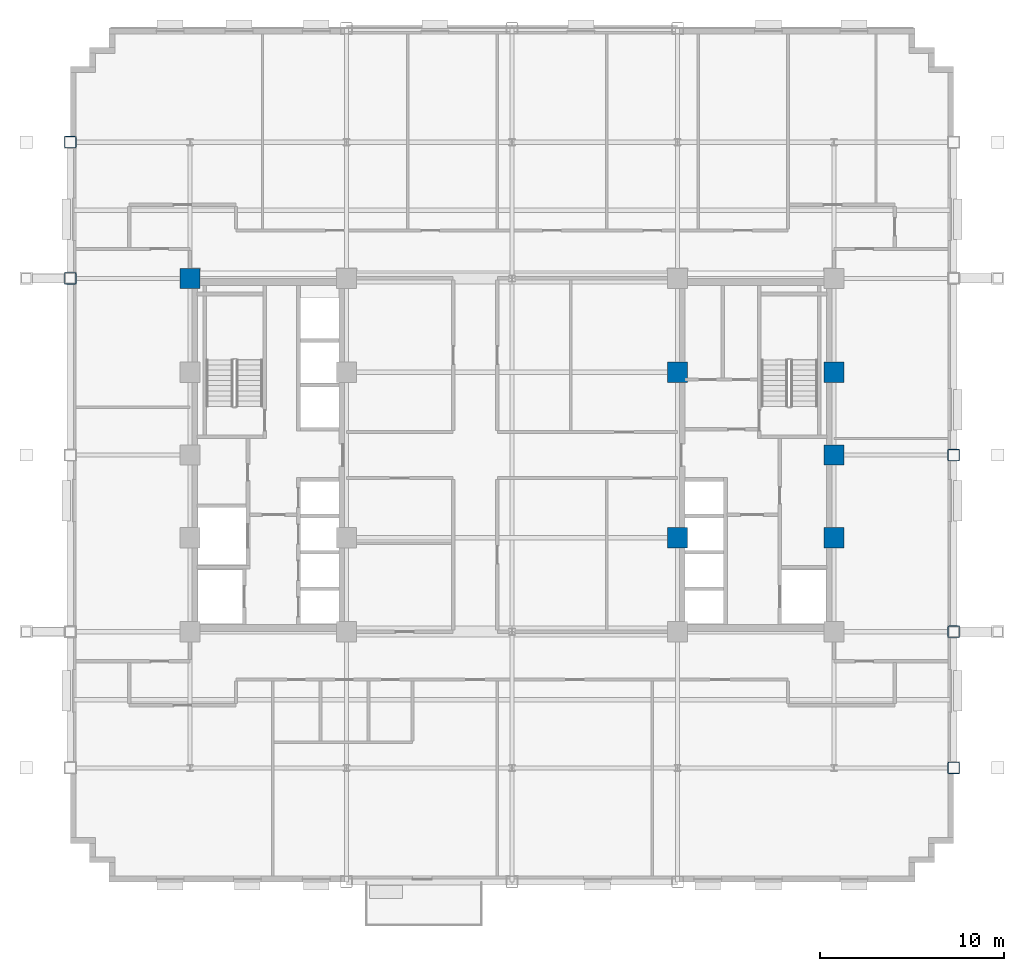
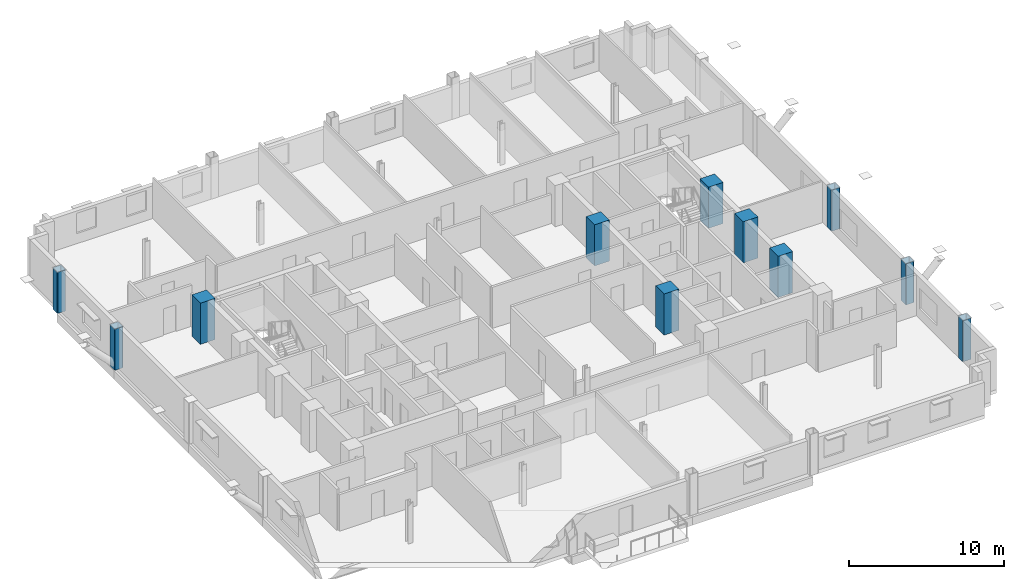
# One storey, part 2 of 14: 11 columns.
"""IFC4 building model written with IfcOpenShell, lengths in metres."""

from ifc_helpers import new_model, si_unit, direction, frame, origin, origin_2d, place, context, subcontext, project, spatial, rectangle, hollow_rectangle, extrude, material, material_profile, profile_set, type_object, element, save


model = new_model("IFC4")

# Units and contexts
model_context = context("Model", 3, precision=1e-05, world=origin(), true_north=direction((0.0, 1.0)))
body_context = subcontext(model_context, "Body", "Model", "MODEL_VIEW")
ifc_project = project(units=[si_unit("LENGTHUNIT", "METRE"), si_unit("AREAUNIT", "SQUARE_METRE"), si_unit("VOLUMEUNIT", "CUBIC_METRE"), si_unit("PLANEANGLEUNIT", "RADIAN"), si_unit("MASSUNIT", "GRAM", prefix="KILO")], contexts=[model_context])

# Site, building, storey
site_placement = place(None, origin())
site = spatial("IfcSite", under=ifc_project, at=site_placement, CompositionType="ELEMENT")
building_placement = place(site_placement, origin())
building = spatial("IfcBuilding", under=site, at=building_placement, Name="Nuvemarco Arch Tower", CompositionType="ELEMENT")
storey_placement = place(building_placement, frame((0.0, 0.0, 112.89990234375)))
storey = spatial("IfcBuildingStorey", under=building, at=storey_placement, Name="L29", CompositionType="ELEMENT", Elevation=112.89990234375)

# Columns
ifc_material_1 = material(Name="Concrete C60/75", Category="concrete")
ifc_material_profile_1 = material_profile(ifc_material_1, rectangle(XDim=1.10009765625, YDim=1.10009765625, at=origin_2d()), Name="RC-COL-1100x1100")
ifc_profile_set_1 = profile_set([ifc_material_profile_1], Name="Concrete C60/75")
column_type_1 = type_object("IfcColumnType", Name="COL-CORE-1100", PredefinedType="COLUMN", material=ifc_profile_set_1)
for number, where, z_axis, x_axis, name in (
    (1, (-17.5, 9.60009765625, 0.0), (0.0, 0.0, 1.0), (1.0, 0.0, 0.0), "L29 column CC_-17.5_+9.6"),
    (2, (9.0, -4.5, 0.0), (0.0, 0.0, 1.0), (1.0, 0.0, 0.0), "L29 column CC_+9.0_-4.5"),
    (3, (9.0, 4.5, 0.0), (0.0, 0.0, 1.0), (1.0, 0.0, 0.0), "L29 column CC_+9.0_+4.5"),
    (4, (17.5, -4.5, 0.0), (0.0, 0.0, 1.0), (1.0, 0.0, 0.0), "L29 column CC_+17.5_-4.5"),
    (5, (17.5, 4.5, 0.0), (0.0, 0.0, 1.0), (1.0, 0.0, 0.0), "L29 column CC_+17.5_+4.5"),
    (6, (17.5, 0.0, 0.0), (0.0, 0.0, 1.0), (1.0, 0.0, 0.0), "L29 column CC_+17.5_+0.0"),
):
    element("IfcColumn", number, at=place(storey_placement, frame(where, z_axis=z_axis, x_axis=x_axis)), inside=storey, type_object=column_type_1, Name=name, PredefinedType="COLUMN", context=body_context, shape_type="SweptSolid", body=[
        extrude(rectangle(XDim=1.10009765625, YDim=1.10009765625, at=origin_2d()), origin(), (0.0, 0.0, 1.0), 3.25),
    ])
ifc_material_2 = material(Name="Steel S355", Category="steel")
ifc_material_profile_2 = material_profile(ifc_material_2, hollow_rectangle(XDim=0.64990234375, YDim=0.64990234375, WallThickness=0.0400390625, InnerFilletRadius=0.0400390625, OuterFilletRadius=0.080078125, at=origin_2d()), Name="SHS650x650x40")
ifc_profile_set_2 = profile_set([ifc_material_profile_2], Name="Steel S355")
column_type_2 = type_object("IfcColumnType", Name="COL-EXO-650", PredefinedType="COLUMN", material=ifc_profile_set_2)
for number, where, z_axis, x_axis, name in (
    (7, (-24.0, 9.60009765625, 0.0), (0.0, 0.0, 1.0), (1.0, 0.0, 0.0), "L29 column CX_-24.0_+9.6"),
    (8, (-24.0, 17.0, 0.0), (0.0, 0.0, 1.0), (1.0, 0.0, 0.0), "L29 column CX_-24.0_+17.0"),
    (9, (24.0, -17.0, 0.0), (0.0, 0.0, 1.0), (1.0, 0.0, 0.0), "L29 column CX_+24.0_-17.0"),
    (10, (24.0, -9.60009765625, 0.0), (0.0, 0.0, 1.0), (1.0, 0.0, 0.0), "L29 column CX_+24.0_-9.6"),
    (11, (24.0, 0.0, 0.0), (0.0, 0.0, 1.0), (1.0, 0.0, 0.0), "L29 column CX_+24.0_+0.0"),
):
    element("IfcColumn", number, at=place(storey_placement, frame(where, z_axis=z_axis, x_axis=x_axis)), inside=storey, type_object=column_type_2, Name=name, PredefinedType="COLUMN", context=body_context, shape_type="SweptSolid", body=[
        extrude(hollow_rectangle(XDim=0.64990234375, YDim=0.64990234375, WallThickness=0.0400390625, InnerFilletRadius=0.0400390625, OuterFilletRadius=0.080078125, at=origin_2d()), origin(), (0.0, 0.0, 1.0), 3.25),
    ])

save(model, "model.ifc")
